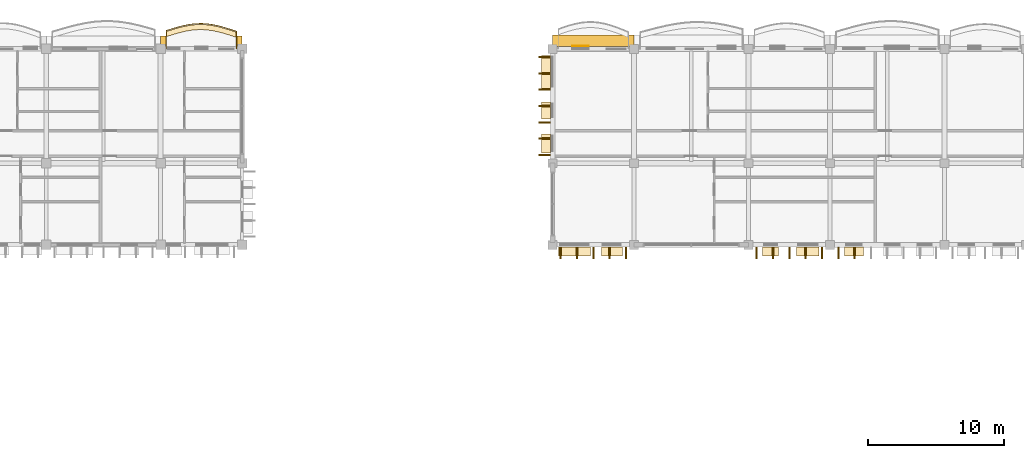
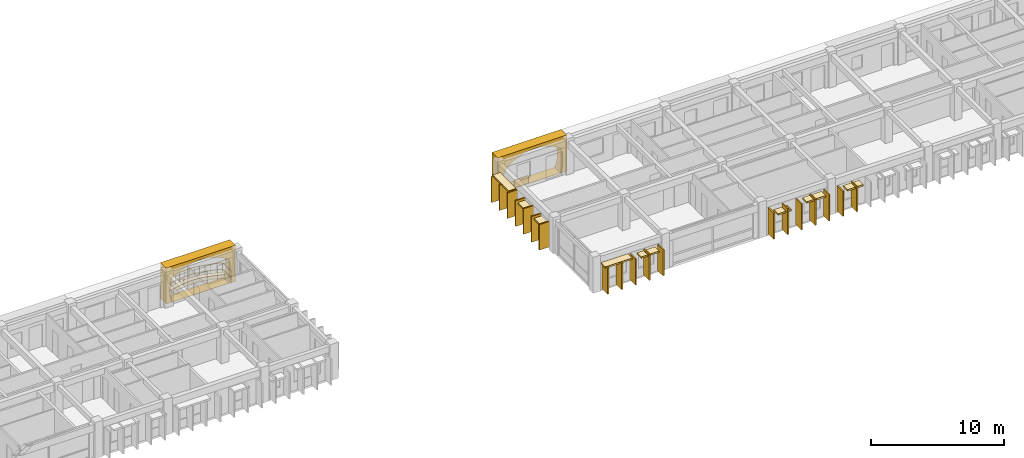
# One storey, part 63 of 79: 31 coverings, 1 railing.
"""IFC4 building model written with IfcOpenShell, lengths in metres."""

import ifcopenshell
import ifcopenshell.guid

model = None  # the IFC model being written
_history = None  # IfcOwnerHistory: only IFC2X3 demands one
_inside = {}  # id of a spatial element -> (the spatial element, [elements in it])
_under = {}  # id of a project, library or spatial element -> (it, [spatial elements below it])
_declared = {}  # id of a project -> (the project, [libraries it declares])
_typed = {}  # id of a type object -> (the type object, [elements of that type])
_made_of = {}  # id of a material, layer set ... -> (it, [elements and type objects made of it])


def new_model(schema):
    """Start an empty IFC model of exactly this schema.

    Asked for "IFC4X3", IfcOpenShell would pick the latest addendum, in which some entities
    have other attributes; the version numbers below select the first issue.
    IFC2X3 requires an IfcOwnerHistory on every rooted entity: one is made here for all.
    """
    global model, _history
    if schema == "IFC4X3":
        model = ifcopenshell.file(schema_version=(4, 3, 0, 0))
    else:
        model = ifcopenshell.file(schema=schema)
    _inside.clear()
    _under.clear()
    _declared.clear()
    _typed.clear()
    _made_of.clear()
    _history = None
    if model.schema == "IFC2X3":
        org = make("IfcOrganization", Name="unknown")
        user = make(
            "IfcPersonAndOrganization",
            ThePerson=make("IfcPerson", FamilyName="unknown"),
            TheOrganization=org,
        )
        app = make(
            "IfcApplication",
            ApplicationDeveloper=org,
            Version="unknown",
            ApplicationFullName="unknown",
            ApplicationIdentifier="unknown",
        )
        _history = make(
            "IfcOwnerHistory",
            OwningUser=user,
            OwningApplication=app,
            ChangeAction="ADDED",
            CreationDate=0,
        )
    return model


def make(cls, **values):
    """One entity of the class cls with the attributes given. An attribute that is None is left unset."""
    return model.create_entity(
        cls, **{name: value for name, value in values.items() if value is not None}
    )


def rooted(cls, **values):
    """An entity with a GlobalId (a new one), such as an element, a storey or a relation."""
    return make(cls, GlobalId=ifcopenshell.guid.new(), OwnerHistory=_history, **values)


def si_unit(unit_type, name, prefix=None):
    """IfcSIUnit, for example si_unit("LENGTHUNIT", "METRE", prefix="MILLI")."""
    return make("IfcSIUnit", UnitType=unit_type, Prefix=prefix, Name=name)


def assignment(units):
    """IfcUnitAssignment: the units of a project."""
    return None if units is None else make("IfcUnitAssignment", Units=units)


def point(xyz):
    """IfcCartesianPoint."""
    return None if xyz is None else make("IfcCartesianPoint", Coordinates=xyz)


def direction(xyz):
    """IfcDirection."""
    return None if xyz is None else make("IfcDirection", DirectionRatios=xyz)


def frame(location, z_axis=None, x_axis=None):
    """IfcAxis2Placement3D, a coordinate frame: its origin and axes. An axis left out is left unset."""
    return make(
        "IfcAxis2Placement3D",
        Location=point(location),
        Axis=direction(z_axis),
        RefDirection=direction(x_axis),
    )


def frame_2d(location, x_axis=None):
    """IfcAxis2Placement2D, a coordinate frame in the plane: its origin and x axis."""
    return make(
        "IfcAxis2Placement2D", Location=point(location), RefDirection=direction(x_axis)
    )


def origin():
    """The frame at (0, 0, 0) with its axes left unset."""
    return frame((0.0, 0.0, 0.0))


def origin_2d():
    """The frame at (0, 0) in the plane with its x axis left unset."""
    return frame_2d((0.0, 0.0))


def place(relative_to, where):
    """IfcLocalPlacement: puts the frame where relative to a parent placement (None: the world)."""
    return make(
        "IfcLocalPlacement", PlacementRelTo=relative_to, RelativePlacement=where
    )


def context(
    kind, dimensions, precision=None, world=None, true_north=None, identifier=None
):
    """IfcGeometricRepresentationContext, for example the 3D "Model" context."""
    return make(
        "IfcGeometricRepresentationContext",
        ContextIdentifier=identifier,
        ContextType=kind,
        CoordinateSpaceDimension=dimensions,
        Precision=precision,
        WorldCoordinateSystem=world,
        TrueNorth=true_north,
    )


def subcontext(parent, identifier, kind, view, scale=None):
    """IfcGeometricRepresentationSubContext, for example "Body" below "Model"."""
    return make(
        "IfcGeometricRepresentationSubContext",
        ContextIdentifier=identifier,
        ContextType=kind,
        ParentContext=parent,
        TargetScale=scale,
        TargetView=view,
    )


def project(units=None, contexts=None):
    """IfcProject with its units and contexts."""
    return rooted(
        "IfcProject",
        Name="project",
        RepresentationContexts=contexts,
        UnitsInContext=assignment(units),
    )


def spatial(cls, under=None, at=None, **own):
    """A site, building, storey or space (cls), placed at a placement, below another one or the project."""
    s = rooted(cls, ObjectPlacement=at, **own)
    if under is not None:
        _under.setdefault(under.id(), (under, []))[1].append(s)
    return s


def polyline(points):
    """IfcPolyline through the points."""
    return make("IfcPolyline", Points=[point(p) for p in points])


def profile(cls, at=None, kind="AREA", **sizes):
    """A parametric profile (cls). Its sizes go by their IFC names, for example OverallWidth=200.0."""
    return make(cls, ProfileType=kind, Position=at, **sizes)


def rectangle(**sizes):
    """IfcRectangleProfileDef."""
    return profile("IfcRectangleProfileDef", **sizes)


def outline(outer, holes=None, kind="AREA"):
    """IfcArbitraryClosedProfileDef: a profile drawn as a closed curve; with holes, ...WithVoids."""
    if holes is None:
        return make("IfcArbitraryClosedProfileDef", ProfileType=kind, OuterCurve=outer)
    return make(
        "IfcArbitraryProfileDefWithVoids",
        ProfileType=kind,
        OuterCurve=outer,
        InnerCurves=holes,
    )


def extrude(swept, where, along, depth):
    """IfcExtrudedAreaSolid: the profile swept, set in the frame where, extruded along a direction by depth."""
    return make(
        "IfcExtrudedAreaSolid",
        SweptArea=swept,
        Position=where,
        ExtrudedDirection=direction(along),
        Depth=depth,
    )


def shape(context_of_items, identifier, shape_type, items):
    """IfcShapeRepresentation: the items that make up one representation, for example the "Body"."""
    return make(
        "IfcShapeRepresentation",
        ContextOfItems=context_of_items,
        RepresentationIdentifier=identifier,
        RepresentationType=shape_type,
        Items=items,
    )


def material(Name=None, Category=None):
    """IfcMaterial."""
    return make("IfcMaterial", Name=Name, Category=Category)


def layer(
    of_material, thickness, ventilated=None, Name=None, Category=None, Priority=None
):
    """IfcMaterialLayer: one layer of a wall or slab, of a material (None: an air gap)."""
    return make(
        "IfcMaterialLayer",
        Material=of_material,
        LayerThickness=thickness,
        IsVentilated=ventilated,
        Name=Name,
        Category=Category,
        Priority=Priority,
    )


def layer_set(layers, Name=None):
    """IfcMaterialLayerSet."""
    return make("IfcMaterialLayerSet", MaterialLayers=layers, LayerSetName=Name)


def made_of(thing, what):
    """Note that an element or type object is made of a material, layer set ...; save() writes the relation."""
    if what is not None:
        _made_of.setdefault(what.id(), (what, []))[1].append(thing)
    return thing


def type_object(cls, material=None, **own):
    """A type object (cls), such as IfcWallType, which elements share."""
    return made_of(rooted(cls, **own), material)


def element(
    cls,
    number,
    at=None,
    inside=None,
    cuts=None,
    type_object=None,
    material=None,
    context=None,
    identifier="Body",
    shape_type=None,
    held_by="IfcProductDefinitionShape",
    body=None,
    shapes=None,
    **own,
):
    """One element of the class cls, such as IfcWall. Its Tag is "e" and its number.

    at: its placement. inside: the storey or other place that contains it. cuts: it is an
    opening in that element (IfcRelVoidsElement). A single representation is given by context,
    identifier, shape_type and body (its items); several are given by shapes. held_by: the class
    of the entity that holds the representations. save() writes the other relations.
    """
    e = rooted(cls, Tag="e%d" % number, ObjectPlacement=at, **own)
    if body is not None:
        shapes = [shape(context, identifier, shape_type, body)]
    if shapes is not None:
        e.Representation = make(held_by, Representations=shapes)
    if inside is not None:
        _inside.setdefault(inside.id(), (inside, []))[1].append(e)
    if cuts is not None:
        rooted(
            "IfcRelVoidsElement", RelatingBuildingElement=cuts, RelatedOpeningElement=e
        )
    if type_object is not None:
        _typed.setdefault(type_object.id(), (type_object, []))[1].append(e)
    return made_of(e, material)


def aggregate(whole, parts):
    """IfcRelAggregates: a whole, such as a stair, and the parts it consists of."""
    return rooted("IfcRelAggregates", RelatingObject=whole, RelatedObjects=parts)


def save(model, path):
    """Write the relations noted so far, then the file.

    IfcRelAggregates (storeys below a building ...), IfcRelContainedInSpatialStructure (elements
    in a storey), IfcRelDefinesByType, IfcRelAssociatesMaterial and IfcRelDeclares: one each for
    every whole, place, type object, material and project.
    """
    for whole, parts in _under.values():
        aggregate(whole, parts)
    for where, things in _inside.values():
        rooted(
            "IfcRelContainedInSpatialStructure",
            RelatedElements=things,
            RelatingStructure=where,
        )
    for kind, things in _typed.values():
        rooted("IfcRelDefinesByType", RelatedObjects=things, RelatingType=kind)
    for what, things in _made_of.values():
        rooted("IfcRelAssociatesMaterial", RelatedObjects=things, RelatingMaterial=what)
    for by, libraries in _declared.values():
        rooted("IfcRelDeclares", RelatingContext=by, RelatedDefinitions=libraries)
    model.write(path)


model = new_model("IFC4")

# Units and contexts
model_context = context("Model", 3, precision=1e-05, world=origin(), true_north=direction((0.0, 1.0)))
body_context = subcontext(model_context, "Body", "Model", "MODEL_VIEW")
ifc_project = project(units=[si_unit("LENGTHUNIT", "METRE"), si_unit("AREAUNIT", "SQUARE_METRE"), si_unit("VOLUMEUNIT", "CUBIC_METRE"), si_unit("PLANEANGLEUNIT", "RADIAN"), si_unit("MASSUNIT", "GRAM", prefix="KILO"), si_unit("THERMODYNAMICTEMPERATUREUNIT", "KELVIN")], contexts=[model_context])

# Site, building, storey
site_placement = place(None, origin())
site = spatial("IfcSite", under=ifc_project, at=site_placement, CompositionType="ELEMENT")
building_placement = place(site_placement, origin())
building = spatial("IfcBuilding", under=site, at=building_placement, Name="Thalorik Housing Commons", CompositionType="ELEMENT")
storey_placement = place(building_placement, frame((0.0, 0.0, 11.39990234375)))
storey = spatial("IfcBuildingStorey", under=building, at=storey_placement, Name="L03", CompositionType="ELEMENT", Elevation=11.39990234375)

# Coverings
ifc_material_1 = material(Name="Precast concrete C40/50", Category="concrete")
ifc_layer_1 = layer(ifc_material_1, 0.85009765625, Name="Precast concrete C40/50", Category="concrete")
ifc_layer_set_1 = layer_set([ifc_layer_1], Name="Precast concrete C40/50")
covering_type_1 = type_object("IfcCoveringType", Name="ARC-CLD-CUSH-850", PredefinedType="CLADDING", material=ifc_layer_set_1)
covering_1_placement = place(storey_placement, frame((54.60009765625, 124.12744140625, 0.0), z_axis=(0.0, 0.0, 1.0), x_axis=(-1.0, 0.0, 0.0)))
element("IfcCovering", 1, at=covering_1_placement, inside=storey, type_object=covering_type_1, Name="L03 White Precast Curved Cushion Bay Frame 303", PredefinedType="CLADDING", context=body_context, shape_type="SweptSolid", body=[
    extrude(outline(polyline([(-3.0, 0.0), (3.0, 0.0), (3.0, 3.300048828125), (-3.0, 3.300048828125), (-3.0, 0.0)]), holes=[polyline([(2.528564453125, 0.02490234375), (2.628173828125, 0.387451171875), (2.687744140625, 0.75), (2.707763671875, 1.112548828125), (2.687744140625, 1.47509765625), (2.628173828125, 1.83740234375), (2.528564453125, 2.199951171875), (2.115478515625, 2.455810546875), (1.7021484375, 2.656494140625), (1.2890625, 2.819091796875), (0.875732421875, 2.940185546875), (0.46240234375, 3.014892578125), (0.04931640625, 3.0400390625), (-0.364013671875, 3.014892578125), (-0.777099609375, 2.940185546875), (-1.190185546875, 2.819091796875), (-1.603515625, 2.656494140625), (-2.016845703125, 2.455810546875), (-2.429931640625, 2.199951171875), (-2.55029296875, 1.83740234375), (-2.62255859375, 1.47509765625), (-2.646484375, 1.112548828125), (-2.62255859375, 0.75), (-2.55029296875, 0.387451171875), (-2.429931640625, 0.02490234375), (2.528564453125, 0.02490234375)])]), frame((0.0, 0.425048828125, 0.0), z_axis=(0.0, -1.0, 0.0), x_axis=(1.0, 0.0, 0.0)), (0.0, 0.0, 1.0), 0.85009765625),
])
covering_2_placement = place(storey_placement, frame((83.39990234375, 124.18505859375, 0.0), z_axis=(0.0, 0.0, 1.0), x_axis=(-1.0, 0.0, 0.0)))
element("IfcCovering", 2, at=covering_2_placement, inside=storey, type_object=covering_type_1, Name="L03 White Precast Curved Cushion Bay Frame 1872", PredefinedType="CLADDING", context=body_context, shape_type="SweptSolid", body=[
    extrude(outline(polyline([(-3.0, 0.0), (3.0, 0.0), (3.0, 3.300048828125), (-3.0, 3.300048828125), (-3.0, 0.0)]), holes=[polyline([(2.0400390625, 0.02490234375), (2.3232421875, 0.407470703125), (2.493408203125, 0.7900390625), (2.550048828125, 1.172607421875), (2.493408203125, 1.554931640625), (2.3232421875, 1.9375), (2.0400390625, 2.320068359375), (1.66748046875, 2.539306640625), (1.294921875, 2.711181640625), (0.922607421875, 2.8505859375), (0.550048828125, 2.954345703125), (0.177490234375, 3.018310546875), (-0.195068359375, 3.0400390625), (-0.5673828125, 3.018310546875), (-0.93994140625, 2.954345703125), (-1.3125, 2.8505859375), (-1.68505859375, 2.711181640625), (-2.0576171875, 2.539306640625), (-2.429931640625, 2.320068359375), (-2.55029296875, 1.9375), (-2.62255859375, 1.554931640625), (-2.646484375, 1.172607421875), (-2.62255859375, 0.7900390625), (-2.55029296875, 0.407470703125), (-2.429931640625, 0.02490234375), (2.0400390625, 0.02490234375)])]), frame((0.0, 0.425048828125, 0.0), z_axis=(0.0, -1.0, 0.0), x_axis=(1.0, 0.0, 0.0)), (0.0, 0.0, 1.0), 0.85009765625),
])
ifc_layer_2 = layer(ifc_material_1, 0.85009765625, Name="Precast concrete C40/50", Category="concrete")
ifc_layer_set_2 = layer_set([ifc_layer_2], Name="Precast concrete C40/50")
covering_type_2 = type_object("IfcCoveringType", Name="ARC-CLD-FIN-850", PredefinedType="CLADDING", material=ifc_layer_set_2)
for number, where, z_axis, x_axis, name in (
    (3, (79.81494140625, 123.0, 0.0400390625), (0.0, 0.0, 1.0), (0.0, -1.0, 0.0), "L03 Courtyard Precast Vertical Brise-Soleil Fin 1874"),
    (4, (79.81494140625, 121.800048828125, 0.0400390625), (0.0, 0.0, 1.0), (0.0, -1.0, 0.0), "L03 Courtyard Precast Vertical Brise-Soleil Fin 1875"),
    (5, (79.81494140625, 120.60009765625, 0.0400390625), (0.0, 0.0, 1.0), (0.0, -1.0, 0.0), "L03 Courtyard Precast Vertical Brise-Soleil Fin 1876"),
    (6, (79.81494140625, 119.39990234375, 0.0400390625), (0.0, 0.0, 1.0), (0.0, -1.0, 0.0), "L03 Courtyard Precast Vertical Brise-Soleil Fin 1877"),
    (7, (79.81494140625, 118.199951171875, 0.0400390625), (0.0, 0.0, 1.0), (0.0, -1.0, 0.0), "L03 Courtyard Precast Vertical Brise-Soleil Fin 1878"),
    (8, (79.81494140625, 117.0, 0.0400390625), (0.0, 0.0, 1.0), (0.0, -1.0, 0.0), "L03 Courtyard Precast Vertical Brise-Soleil Fin 1879"),
    (9, (79.81494140625, 115.800048828125, 0.0400390625), (0.0, 0.0, 1.0), (0.0, -1.0, 0.0), "L03 Courtyard Precast Vertical Brise-Soleil Fin 1880"),
):
    element("IfcCovering", number, at=place(storey_placement, frame(where, z_axis=z_axis, x_axis=x_axis)), inside=storey, type_object=covering_type_2, Name=name, PredefinedType="CLADDING", context=body_context, shape_type="SweptSolid", body=[
        extrude(rectangle(XDim=0.110107421875, YDim=0.85009765625, at=origin_2d()), origin(), (0.0, 0.0, 1.0), 2.344970703125),
    ])
for number, where, z_axis, x_axis, name in (
    (10, (81.0, 108.614990234375, 0.0400390625), (0.0, 0.0, 1.0), (1.0, 0.0, 0.0), "L03 Courtyard Precast Vertical Brise-Soleil Fin 1884"),
    (11, (82.199951171875, 108.614990234375, 0.0400390625), (0.0, 0.0, 1.0), (1.0, 0.0, 0.0), "L03 Courtyard Precast Vertical Brise-Soleil Fin 1885"),
    (12, (83.39990234375, 108.614990234375, 0.0400390625), (0.0, 0.0, 1.0), (1.0, 0.0, 0.0), "L03 Courtyard Precast Vertical Brise-Soleil Fin 1886"),
    (13, (84.60009765625, 108.614990234375, 0.0400390625), (0.0, 0.0, 1.0), (1.0, 0.0, 0.0), "L03 Courtyard Precast Vertical Brise-Soleil Fin 1887"),
    (14, (85.800048828125, 108.614990234375, 0.0400390625), (0.0, 0.0, 1.0), (1.0, 0.0, 0.0), "L03 Courtyard Precast Vertical Brise-Soleil Fin 1888"),
    (15, (95.39990234375, 108.614990234375, 0.0400390625), (0.0, 0.0, 1.0), (1.0, 0.0, 0.0), "L03 Courtyard Precast Vertical Brise-Soleil Fin 1891"),
    (16, (96.60009765625, 108.614990234375, 0.0400390625), (0.0, 0.0, 1.0), (1.0, 0.0, 0.0), "L03 Courtyard Precast Vertical Brise-Soleil Fin 1892"),
    (17, (97.800048828125, 108.614990234375, 0.0400390625), (0.0, 0.0, 1.0), (1.0, 0.0, 0.0), "L03 Courtyard Precast Vertical Brise-Soleil Fin 1893"),
    (18, (99.0, 108.614990234375, 0.0400390625), (0.0, 0.0, 1.0), (1.0, 0.0, 0.0), "L03 Courtyard Precast Vertical Brise-Soleil Fin 1894"),
    (19, (100.199951171875, 108.614990234375, 0.0400390625), (0.0, 0.0, 1.0), (1.0, 0.0, 0.0), "L03 Courtyard Precast Vertical Brise-Soleil Fin 1895"),
):
    element("IfcCovering", number, at=place(storey_placement, frame(where, z_axis=z_axis, x_axis=x_axis)), inside=storey, type_object=covering_type_2, Name=name, PredefinedType="CLADDING", context=body_context, shape_type="SweptSolid", body=[
        extrude(rectangle(XDim=0.110107421875, YDim=0.85009765625, at=origin_2d()), origin(), (0.0, 0.0, 1.0), 2.39501953125),
    ])
for number, where, z_axis, x_axis, name in (
    (20, (101.39990234375, 108.614990234375, 0.0400390625), (0.0, 0.0, 1.0), (1.0, 0.0, 0.0), "L03 Courtyard Precast Vertical Brise-Soleil Fin 1898"),
    (21, (102.60009765625, 108.614990234375, 0.0400390625), (0.0, 0.0, 1.0), (1.0, 0.0, 0.0), "L03 Courtyard Precast Vertical Brise-Soleil Fin 1899"),
):
    element("IfcCovering", number, at=place(storey_placement, frame(where, z_axis=z_axis, x_axis=x_axis)), inside=storey, type_object=covering_type_2, Name=name, PredefinedType="CLADDING", context=body_context, shape_type="SweptSolid", body=[
        extrude(rectangle(XDim=0.110107421875, YDim=0.85009765625, at=origin_2d()), origin(), (0.0, 0.0, 1.0), 2.294921875),
    ])
ifc_layer_3 = layer(ifc_material_1, 0.64990234375, Name="Precast concrete C40/50", Category="concrete")
ifc_layer_set_3 = layer_set([ifc_layer_3], Name="Precast concrete C40/50")
covering_type_3 = type_object("IfcCoveringType", Name="ARC-CLD-HOOD-650", PredefinedType="CLADDING", material=ifc_layer_set_3)
covering_3_placement = place(storey_placement, frame((79.9150390625, 121.91748046875, 2.27001953125), z_axis=(0.0, 0.0, 1.0), x_axis=(0.0, -1.0, 0.0)))
element("IfcCovering", 22, at=covering_3_placement, inside=storey, type_object=covering_type_3, Name="L03 Courtyard Precast Window Sun-Hood 1881", PredefinedType="CLADDING", context=body_context, shape_type="SweptSolid", body=[
    extrude(rectangle(XDim=2.419921875, YDim=0.64990234375, at=origin_2d()), origin(), (0.0, 0.0, 1.0), 0.139892578125),
])
covering_4_placement = place(storey_placement, frame((79.9150390625, 119.072509765625, 2.0400390625), z_axis=(0.0, 0.0, 1.0), x_axis=(0.0, -1.0, 0.0)))
element("IfcCovering", 23, at=covering_4_placement, inside=storey, type_object=covering_type_3, Name="L03 Courtyard Precast Window Sun-Hood 1882", PredefinedType="CLADDING", context=body_context, shape_type="SweptSolid", body=[
    extrude(rectangle(XDim=1.239990234375, YDim=0.64990234375, at=origin_2d()), origin(), (0.0, 0.0, 1.0), 0.139892578125),
])
covering_5_placement = place(storey_placement, frame((79.9150390625, 116.64990234375, 2.0400390625), z_axis=(0.0, 0.0, 1.0), x_axis=(0.0, -1.0, 0.0)))
element("IfcCovering", 24, at=covering_5_placement, inside=storey, type_object=covering_type_3, Name="L03 Courtyard Precast Window Sun-Hood 1883", PredefinedType="CLADDING", context=body_context, shape_type="SweptSolid", body=[
    extrude(rectangle(XDim=1.389892578125, YDim=0.64990234375, at=origin_2d()), origin(), (0.0, 0.0, 1.0), 0.139892578125),
])
covering_6_placement = place(storey_placement, frame((82.030029296875, 108.715087890625, 2.3251953125), z_axis=(0.0, 0.0, 1.0), x_axis=(1.0, 0.0, 0.0)))
element("IfcCovering", 25, at=covering_6_placement, inside=storey, type_object=covering_type_3, Name="L03 Courtyard Precast Window Sun-Hood 1889", PredefinedType="CLADDING", context=body_context, shape_type="SweptSolid", body=[
    extrude(rectangle(XDim=2.340087890625, YDim=0.64990234375, at=origin_2d()), origin(), (0.0, 0.0, 1.0), 0.139892578125),
])
covering_7_placement = place(storey_placement, frame((84.77001953125, 108.715087890625, 2.14013671875), z_axis=(0.0, 0.0, 1.0), x_axis=(1.0, 0.0, 0.0)))
element("IfcCovering", 26, at=covering_7_placement, inside=storey, type_object=covering_type_3, Name="L03 Courtyard Precast Window Sun-Hood 1890", PredefinedType="CLADDING", context=body_context, shape_type="SweptSolid", body=[
    extrude(rectangle(XDim=1.56005859375, YDim=0.64990234375, at=origin_2d()), origin(), (0.0, 0.0, 1.0), 0.139892578125),
])
covering_8_placement = place(storey_placement, frame((96.429931640625, 108.715087890625, 1.93994140625), z_axis=(0.0, 0.0, 1.0), x_axis=(1.0, 0.0, 0.0)))
element("IfcCovering", 27, at=covering_8_placement, inside=storey, type_object=covering_type_3, Name="L03 Courtyard Precast Window Sun-Hood 1896", PredefinedType="CLADDING", context=body_context, shape_type="SweptSolid", body=[
    extrude(rectangle(XDim=1.18994140625, YDim=0.64990234375, at=origin_2d()), origin(), (0.0, 0.0, 1.0), 0.139892578125),
])
covering_9_placement = place(storey_placement, frame((99.169921875, 108.715087890625, 2.169921875), z_axis=(0.0, 0.0, 1.0), x_axis=(1.0, 0.0, 0.0)))
element("IfcCovering", 28, at=covering_9_placement, inside=storey, type_object=covering_type_3, Name="L03 Courtyard Precast Window Sun-Hood 1897", PredefinedType="CLADDING", context=body_context, shape_type="SweptSolid", body=[
    extrude(rectangle(XDim=1.659912109375, YDim=0.64990234375, at=origin_2d()), origin(), (0.0, 0.0, 1.0), 0.139892578125),
])
covering_10_placement = place(storey_placement, frame((102.554931640625, 108.715087890625, 2.0400390625), z_axis=(0.0, 0.0, 1.0), x_axis=(1.0, 0.0, 0.0)))
element("IfcCovering", 29, at=covering_10_placement, inside=storey, type_object=covering_type_3, Name="L03 Courtyard Precast Window Sun-Hood 1905", PredefinedType="CLADDING", context=body_context, shape_type="SweptSolid", body=[
    extrude(rectangle(XDim=1.389892578125, YDim=0.64990234375, at=origin_2d()), origin(), (0.0, 0.0, 1.0), 0.139892578125),
])
ifc_material_2 = material(Name="Mineral ochre architectural terracotta panel", Category="masonry")
ifc_layer_4 = layer(ifc_material_2, 0.06494140625, Name="Mineral ochre architectural terracotta panel", Category="masonry")
ifc_layer_set_4 = layer_set([ifc_layer_4], Name="Mineral ochre architectural terracotta panel")
covering_type_4 = type_object("IfcCoveringType", Name="ARC-CLD-YEL-65", PredefinedType="CLADDING", material=ifc_layer_set_4)
covering_11_placement = place(storey_placement, frame((82.4599609375, 123.797607421875, 0.05029296875), z_axis=(0.0, 0.0, 1.0), x_axis=(-1.0, 0.0, 0.0)))
element("IfcCovering", 30, at=covering_11_placement, inside=storey, type_object=covering_type_4, Name="L03 De Stijl Recessed Window Spandrel 1873", PredefinedType="CLADDING", context=body_context, shape_type="SweptSolid", body=[
    extrude(rectangle(XDim=1.199951171875, YDim=0.06494140625, at=origin_2d()), origin(), (0.0, 0.0, 1.0), 0.699951171875),
])
ifc_material_3 = material(Name="Planted vegetated substrate and terracotta trough", Category="masonry")
ifc_layer_5 = layer(ifc_material_3, 0.340087890625, Name="Planted vegetated substrate and terracotta trough", Category="masonry")
ifc_layer_set_5 = layer_set([ifc_layer_5], Name="Planted vegetated substrate and terracotta trough")
covering_type_5 = type_object("IfcCoveringType", Name="ARC-COV-PLANTER", PredefinedType="USERDEFINED", material=ifc_layer_set_5)
covering_12_placement = place(storey_placement, origin())
element("IfcCovering", 31, at=covering_12_placement, inside=storey, type_object=covering_type_5, Name="L03 Balcony Slab-Edge Planted Trough 5331", ObjectType="PLANTER", PredefinedType="USERDEFINED", context=body_context, shape_type="SweptSolid", body=[
    extrude(outline(polyline([(57.179931640625, 124.82177734375), (56.75, 124.964599609375), (56.320068359375, 125.099853515625), (55.889892578125, 125.218017578125), (55.4599609375, 125.310791015625), (55.030029296875, 125.37158203125), (54.60009765625, 125.39599609375), (54.169921875, 125.383056640625), (53.739990234375, 125.333251953125), (53.31005859375, 125.2509765625), (52.8798828125, 125.141845703125), (52.449951171875, 125.014404296875), (52.02001953125, 124.877197265625), (52.02001953125, 124.497314453125), (52.449951171875, 124.63427734375), (52.8798828125, 124.761962890625), (53.31005859375, 124.87109375), (53.739990234375, 124.953369140625), (54.169921875, 125.0029296875), (54.60009765625, 125.01611328125), (55.030029296875, 124.991455078125), (55.4599609375, 124.930908203125), (55.889892578125, 124.838134765625), (56.320068359375, 124.719970703125), (56.75, 124.584716796875), (57.179931640625, 124.441650390625), (57.179931640625, 124.82177734375)])), origin(), (0.0, 0.0, 1.0), 0.340087890625),
])

# Railing
ifc_material_4 = material(Name="Steel S355", Category="steel")
railing_type = type_object("IfcRailingType", Name="ARC-RL-BAL-115", PredefinedType="BALUSTRADE", material=ifc_material_4)
railing_placement = place(storey_placement, frame((57.179931640625, 123.60009765625, 0.0)))
element("IfcRailing", 32, at=railing_placement, inside=storey, type_object=railing_type, Name="L03 Cushion Balcony Guardrail 15", PredefinedType="BALUSTRADE", context=body_context, shape_type="SweptSolid", body=[
    extrude(rectangle(XDim=0.050048828125, YDim=0.050048828125, at=origin_2d()), frame((0.0, 0.0, 1.125), z_axis=(0.0, 1.0, 0.0), x_axis=(-1.0, 0.0, 0.0)), (0.0, 0.0, 1.0), 1.29150390625),
    extrude(rectangle(XDim=0.050048828125, YDim=0.050048828125, at=origin_2d()), frame((0.0, 0.0, 0.5498046875), z_axis=(0.0, 1.0, 0.0), x_axis=(-1.0, 0.0, 0.0)), (0.0, 0.0, 1.0), 1.29150390625),
    extrude(rectangle(XDim=0.050048828125, YDim=0.050048828125, at=origin_2d()), frame((0.0, 1.29150390625, 1.125), z_axis=(-0.948844817182, 0.315742795496, 0.0), x_axis=(-0.315742795496, -0.948844817182, 0.0)), (0.0, 0.0, 1.0), 0.453125),
    extrude(rectangle(XDim=0.050048828125, YDim=0.050048828125, at=origin_2d()), frame((0.0, 1.29150390625, 0.5498046875), z_axis=(-0.948844817182, 0.315742795496, 0.0), x_axis=(-0.315742795496, -0.948844817182, 0.0)), (0.0, 0.0, 1.0), 0.453125),
    extrude(rectangle(XDim=0.050048828125, YDim=0.050048828125, at=origin_2d()), frame((-0.429931640625, 1.4345703125, 1.125), z_axis=(-0.953909569084, 0.300094208559, 0.0), x_axis=(-0.300094208559, -0.953909569084, 0.0)), (0.0, 0.0, 1.0), 0.45068359375),
    extrude(rectangle(XDim=0.050048828125, YDim=0.050048828125, at=origin_2d()), frame((-0.429931640625, 1.4345703125, 0.5498046875), z_axis=(-0.953909569084, 0.300094208559, 0.0), x_axis=(-0.300094208559, -0.953909569084, 0.0)), (0.0, 0.0, 1.0), 0.45068359375),
    extrude(rectangle(XDim=0.050048828125, YDim=0.050048828125, at=origin_2d()), frame((-0.85986328125, 1.56982421875, 1.125), z_axis=(-0.964282306479, 0.264876638102, 0.0), x_axis=(-0.264876638102, -0.964282306479, 0.0)), (0.0, 0.0, 1.0), 0.446044921875),
    extrude(rectangle(XDim=0.050048828125, YDim=0.050048828125, at=origin_2d()), frame((-0.85986328125, 1.56982421875, 0.5498046875), z_axis=(-0.964282306479, 0.264876638102, 0.0), x_axis=(-0.264876638102, -0.964282306479, 0.0)), (0.0, 0.0, 1.0), 0.446044921875),
    extrude(rectangle(XDim=0.050048828125, YDim=0.050048828125, at=origin_2d()), frame((-1.2900390625, 1.68798828125, 1.125), z_axis=(-0.977500851063, 0.210931472688, 0.0), x_axis=(-0.210931472688, -0.977500851063, 0.0)), (0.0, 0.0, 1.0), 0.43994140625),
    extrude(rectangle(XDim=0.050048828125, YDim=0.050048828125, at=origin_2d()), frame((-1.2900390625, 1.68798828125, 0.5498046875), z_axis=(-0.977500851063, 0.210931472688, 0.0), x_axis=(-0.210931472688, -0.977500851063, 0.0)), (0.0, 0.0, 1.0), 0.43994140625),
    extrude(rectangle(XDim=0.050048828125, YDim=0.050048828125, at=origin_2d()), frame((-1.719970703125, 1.78076171875, 1.125), z_axis=(-0.990228692537, 0.139452990204, 0.0), x_axis=(-0.139452990204, -0.990228692537, 0.0)), (0.0, 0.0, 1.0), 0.43408203125),
    extrude(rectangle(XDim=0.050048828125, YDim=0.050048828125, at=origin_2d()), frame((-1.719970703125, 1.78076171875, 0.5498046875), z_axis=(-0.990228692537, 0.139452990204, 0.0), x_axis=(-0.139452990204, -0.990228692537, 0.0)), (0.0, 0.0, 1.0), 0.43408203125),
    extrude(rectangle(XDim=0.050048828125, YDim=0.050048828125, at=origin_2d()), frame((-2.14990234375, 1.84130859375, 1.125), z_axis=(-0.998359318778, 0.057259677, 0.0), x_axis=(-0.057259677, -0.998359318778, 0.0)), (0.0, 0.0, 1.0), 0.4306640625),
    extrude(rectangle(XDim=0.050048828125, YDim=0.050048828125, at=origin_2d()), frame((-2.14990234375, 1.84130859375, 0.5498046875), z_axis=(-0.998359318778, 0.057259677, 0.0), x_axis=(-0.057259677, -0.998359318778, 0.0)), (0.0, 0.0, 1.0), 0.4306640625),
    extrude(rectangle(XDim=0.050048828125, YDim=0.050048828125, at=origin_2d()), frame((-2.579833984375, 1.865966796875, 1.125), z_axis=(-0.999530711493, -0.030632609773, 0.0), x_axis=(0.030632609773, -0.999530711493, 0.0)), (0.0, 0.0, 1.0), 0.430419921875),
    extrude(rectangle(XDim=0.050048828125, YDim=0.050048828125, at=origin_2d()), frame((-2.579833984375, 1.865966796875, 0.5498046875), z_axis=(-0.999530711493, -0.030632609773, 0.0), x_axis=(0.030632609773, -0.999530711493, 0.0)), (0.0, 0.0, 1.0), 0.430419921875),
    extrude(rectangle(XDim=0.050048828125, YDim=0.050048828125, at=origin_2d()), frame((-3.010009765625, 1.852783203125, 1.125), z_axis=(-0.993421283169, -0.114517047407, 0.0), x_axis=(0.114517047407, -0.993421283169, 0.0)), (0.0, 0.0, 1.0), 0.432861328125),
    extrude(rectangle(XDim=0.050048828125, YDim=0.050048828125, at=origin_2d()), frame((-3.010009765625, 1.852783203125, 0.5498046875), z_axis=(-0.993421283169, -0.114517047407, 0.0), x_axis=(0.114517047407, -0.993421283169, 0.0)), (0.0, 0.0, 1.0), 0.432861328125),
    extrude(rectangle(XDim=0.050048828125, YDim=0.050048828125, at=origin_2d()), frame((-3.43994140625, 1.80322265625, 1.125), z_axis=(-0.982177105066, -0.187957799209, 0.0), x_axis=(0.187957799209, -0.982177105066, 0.0)), (0.0, 0.0, 1.0), 0.437744140625),
    extrude(rectangle(XDim=0.050048828125, YDim=0.050048828125, at=origin_2d()), frame((-3.43994140625, 1.80322265625, 0.5498046875), z_axis=(-0.982177105066, -0.187957799209, 0.0), x_axis=(0.187957799209, -0.982177105066, 0.0)), (0.0, 0.0, 1.0), 0.437744140625),
    extrude(rectangle(XDim=0.050048828125, YDim=0.050048828125, at=origin_2d()), frame((-3.869873046875, 1.720947265625, 1.125), z_axis=(-0.969295316934, -0.245899549756, 0.0), x_axis=(0.245899549756, -0.969295316934, 0.0)), (0.0, 0.0, 1.0), 0.44384765625),
    extrude(rectangle(XDim=0.050048828125, YDim=0.050048828125, at=origin_2d()), frame((-3.869873046875, 1.720947265625, 0.5498046875), z_axis=(-0.969295316934, -0.245899549756, 0.0), x_axis=(0.245899549756, -0.969295316934, 0.0)), (0.0, 0.0, 1.0), 0.44384765625),
    extrude(rectangle(XDim=0.050048828125, YDim=0.050048828125, at=origin_2d()), frame((-4.300048828125, 1.61181640625, 1.125), z_axis=(-0.958616693349, -0.284699903817, 0.0), x_axis=(0.284699903817, -0.958616693349, 0.0)), (0.0, 0.0, 1.0), 0.448486328125),
    extrude(rectangle(XDim=0.050048828125, YDim=0.050048828125, at=origin_2d()), frame((-4.300048828125, 1.61181640625, 0.5498046875), z_axis=(-0.958616693349, -0.284699903817, 0.0), x_axis=(0.284699903817, -0.958616693349, 0.0)), (0.0, 0.0, 1.0), 0.448486328125),
    extrude(rectangle(XDim=0.050048828125, YDim=0.050048828125, at=origin_2d()), frame((-4.72998046875, 1.484130859375, 1.125), z_axis=(-0.952819131931, -0.30353863317, 0.0), x_axis=(0.30353863317, -0.952819131931, 0.0)), (0.0, 0.0, 1.0), 0.451171875),
    extrude(rectangle(XDim=0.050048828125, YDim=0.050048828125, at=origin_2d()), frame((-4.72998046875, 1.484130859375, 0.5498046875), z_axis=(-0.952819131931, -0.30353863317, 0.0), x_axis=(0.30353863317, -0.952819131931, 0.0)), (0.0, 0.0, 1.0), 0.451171875),
    extrude(rectangle(XDim=0.050048828125, YDim=0.050048828125, at=origin_2d()), frame((-5.159912109375, 1.34716796875, 1.125), z_axis=(0.0, -1.0, 0.0), x_axis=(1.0, 0.0, 0.0)), (0.0, 0.0, 1.0), 1.34716796875),
    extrude(rectangle(XDim=0.050048828125, YDim=0.050048828125, at=origin_2d()), frame((-5.159912109375, 1.34716796875, 0.5498046875), z_axis=(0.0, -1.0, 0.0), x_axis=(1.0, 0.0, 0.0)), (0.0, 0.0, 1.0), 1.34716796875),
    extrude(rectangle(XDim=0.0419921875, YDim=0.0419921875, at=origin_2d()), origin(), (0.0, 0.0, 1.0), 1.099853515625),
    extrude(rectangle(XDim=0.0419921875, YDim=0.0419921875, at=origin_2d()), frame((0.0, 1.29150390625, 0.0)), (0.0, 0.0, 1.0), 1.099853515625),
    extrude(rectangle(XDim=0.0419921875, YDim=0.0419921875, at=origin_2d()), frame((-0.429931640625, 1.4345703125, 0.0)), (0.0, 0.0, 1.0), 1.099853515625),
    extrude(rectangle(XDim=0.0419921875, YDim=0.0419921875, at=origin_2d()), frame((-0.85986328125, 1.56982421875, 0.0)), (0.0, 0.0, 1.0), 1.099853515625),
    extrude(rectangle(XDim=0.0419921875, YDim=0.0419921875, at=origin_2d()), frame((-1.2900390625, 1.68798828125, 0.0)), (0.0, 0.0, 1.0), 1.099853515625),
    extrude(rectangle(XDim=0.0419921875, YDim=0.0419921875, at=origin_2d()), frame((-1.719970703125, 1.78076171875, 0.0)), (0.0, 0.0, 1.0), 1.099853515625),
    extrude(rectangle(XDim=0.0419921875, YDim=0.0419921875, at=origin_2d()), frame((-2.14990234375, 1.84130859375, 0.0)), (0.0, 0.0, 1.0), 1.099853515625),
    extrude(rectangle(XDim=0.0419921875, YDim=0.0419921875, at=origin_2d()), frame((-2.579833984375, 1.865966796875, 0.0)), (0.0, 0.0, 1.0), 1.099853515625),
    extrude(rectangle(XDim=0.0419921875, YDim=0.0419921875, at=origin_2d()), frame((-3.010009765625, 1.852783203125, 0.0)), (0.0, 0.0, 1.0), 1.099853515625),
    extrude(rectangle(XDim=0.0419921875, YDim=0.0419921875, at=origin_2d()), frame((-3.43994140625, 1.80322265625, 0.0)), (0.0, 0.0, 1.0), 1.099853515625),
    extrude(rectangle(XDim=0.0419921875, YDim=0.0419921875, at=origin_2d()), frame((-3.869873046875, 1.720947265625, 0.0)), (0.0, 0.0, 1.0), 1.099853515625),
    extrude(rectangle(XDim=0.0419921875, YDim=0.0419921875, at=origin_2d()), frame((-4.300048828125, 1.61181640625, 0.0)), (0.0, 0.0, 1.0), 1.099853515625),
    extrude(rectangle(XDim=0.0419921875, YDim=0.0419921875, at=origin_2d()), frame((-4.72998046875, 1.484130859375, 0.0)), (0.0, 0.0, 1.0), 1.099853515625),
    extrude(rectangle(XDim=0.0419921875, YDim=0.0419921875, at=origin_2d()), frame((-5.159912109375, 1.34716796875, 0.0)), (0.0, 0.0, 1.0), 1.099853515625),
    extrude(rectangle(XDim=0.0419921875, YDim=0.0419921875, at=origin_2d()), frame((-5.159912109375, 0.0, 0.0)), (0.0, 0.0, 1.0), 1.099853515625),
])

save(model, "model.ifc")
